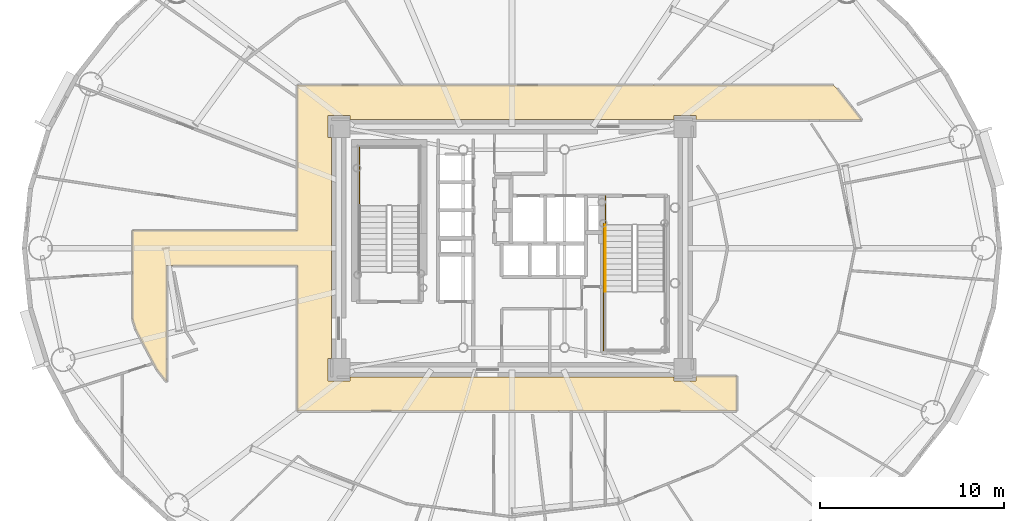
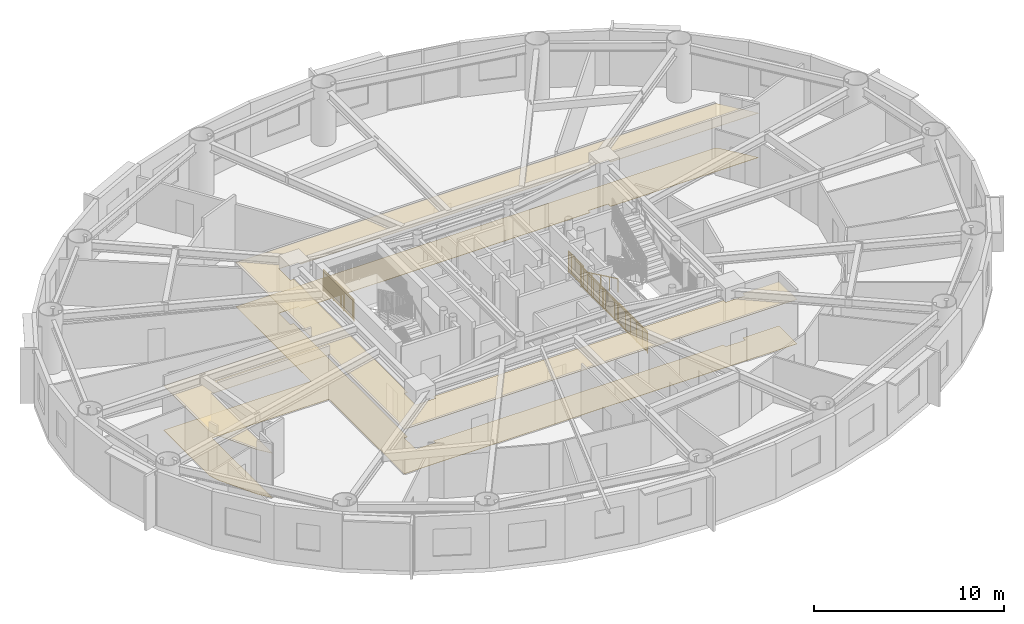
# One storey, part 18 of 21: 4 railings, 2 coverings.
"""IFC4 building model written with IfcOpenShell, lengths in metres."""

import ifcopenshell
import ifcopenshell.guid

model = None  # the IFC model being written
_history = None  # IfcOwnerHistory: only IFC2X3 demands one
_inside = {}  # id of a spatial element -> (the spatial element, [elements in it])
_under = {}  # id of a project, library or spatial element -> (it, [spatial elements below it])
_declared = {}  # id of a project -> (the project, [libraries it declares])
_typed = {}  # id of a type object -> (the type object, [elements of that type])
_made_of = {}  # id of a material, layer set ... -> (it, [elements and type objects made of it])


def new_model(schema):
    """Start an empty IFC model of exactly this schema.

    Asked for "IFC4X3", IfcOpenShell would pick the latest addendum, in which some entities
    have other attributes; the version numbers below select the first issue.
    IFC2X3 requires an IfcOwnerHistory on every rooted entity: one is made here for all.
    """
    global model, _history
    if schema == "IFC4X3":
        model = ifcopenshell.file(schema_version=(4, 3, 0, 0))
    else:
        model = ifcopenshell.file(schema=schema)
    _inside.clear()
    _under.clear()
    _declared.clear()
    _typed.clear()
    _made_of.clear()
    _history = None
    if model.schema == "IFC2X3":
        org = make("IfcOrganization", Name="unknown")
        user = make(
            "IfcPersonAndOrganization",
            ThePerson=make("IfcPerson", FamilyName="unknown"),
            TheOrganization=org,
        )
        app = make(
            "IfcApplication",
            ApplicationDeveloper=org,
            Version="unknown",
            ApplicationFullName="unknown",
            ApplicationIdentifier="unknown",
        )
        _history = make(
            "IfcOwnerHistory",
            OwningUser=user,
            OwningApplication=app,
            ChangeAction="ADDED",
            CreationDate=0,
        )
    return model


def make(cls, **values):
    """One entity of the class cls with the attributes given. An attribute that is None is left unset."""
    return model.create_entity(
        cls, **{name: value for name, value in values.items() if value is not None}
    )


def rooted(cls, **values):
    """An entity with a GlobalId (a new one), such as an element, a storey or a relation."""
    return make(cls, GlobalId=ifcopenshell.guid.new(), OwnerHistory=_history, **values)


def si_unit(unit_type, name, prefix=None):
    """IfcSIUnit, for example si_unit("LENGTHUNIT", "METRE", prefix="MILLI")."""
    return make("IfcSIUnit", UnitType=unit_type, Prefix=prefix, Name=name)


def assignment(units):
    """IfcUnitAssignment: the units of a project."""
    return None if units is None else make("IfcUnitAssignment", Units=units)


def point(xyz):
    """IfcCartesianPoint."""
    return None if xyz is None else make("IfcCartesianPoint", Coordinates=xyz)


def direction(xyz):
    """IfcDirection."""
    return None if xyz is None else make("IfcDirection", DirectionRatios=xyz)


def frame(location, z_axis=None, x_axis=None):
    """IfcAxis2Placement3D, a coordinate frame: its origin and axes. An axis left out is left unset."""
    return make(
        "IfcAxis2Placement3D",
        Location=point(location),
        Axis=direction(z_axis),
        RefDirection=direction(x_axis),
    )


def frame_2d(location, x_axis=None):
    """IfcAxis2Placement2D, a coordinate frame in the plane: its origin and x axis."""
    return make(
        "IfcAxis2Placement2D", Location=point(location), RefDirection=direction(x_axis)
    )


def origin():
    """The frame at (0, 0, 0) with its axes left unset."""
    return frame((0.0, 0.0, 0.0))


def origin_2d():
    """The frame at (0, 0) in the plane with its x axis left unset."""
    return frame_2d((0.0, 0.0))


def place(relative_to, where):
    """IfcLocalPlacement: puts the frame where relative to a parent placement (None: the world)."""
    return make(
        "IfcLocalPlacement", PlacementRelTo=relative_to, RelativePlacement=where
    )


def context(
    kind, dimensions, precision=None, world=None, true_north=None, identifier=None
):
    """IfcGeometricRepresentationContext, for example the 3D "Model" context."""
    return make(
        "IfcGeometricRepresentationContext",
        ContextIdentifier=identifier,
        ContextType=kind,
        CoordinateSpaceDimension=dimensions,
        Precision=precision,
        WorldCoordinateSystem=world,
        TrueNorth=true_north,
    )


def subcontext(parent, identifier, kind, view, scale=None):
    """IfcGeometricRepresentationSubContext, for example "Body" below "Model"."""
    return make(
        "IfcGeometricRepresentationSubContext",
        ContextIdentifier=identifier,
        ContextType=kind,
        ParentContext=parent,
        TargetScale=scale,
        TargetView=view,
    )


def project(units=None, contexts=None):
    """IfcProject with its units and contexts."""
    return rooted(
        "IfcProject",
        Name="project",
        RepresentationContexts=contexts,
        UnitsInContext=assignment(units),
    )


def spatial(cls, under=None, at=None, **own):
    """A site, building, storey or space (cls), placed at a placement, below another one or the project."""
    s = rooted(cls, ObjectPlacement=at, **own)
    if under is not None:
        _under.setdefault(under.id(), (under, []))[1].append(s)
    return s


def polyline(points):
    """IfcPolyline through the points."""
    return make("IfcPolyline", Points=[point(p) for p in points])


def profile(cls, at=None, kind="AREA", **sizes):
    """A parametric profile (cls). Its sizes go by their IFC names, for example OverallWidth=200.0."""
    return make(cls, ProfileType=kind, Position=at, **sizes)


def rectangle(**sizes):
    """IfcRectangleProfileDef."""
    return profile("IfcRectangleProfileDef", **sizes)


def outline(outer, holes=None, kind="AREA"):
    """IfcArbitraryClosedProfileDef: a profile drawn as a closed curve; with holes, ...WithVoids."""
    if holes is None:
        return make("IfcArbitraryClosedProfileDef", ProfileType=kind, OuterCurve=outer)
    return make(
        "IfcArbitraryProfileDefWithVoids",
        ProfileType=kind,
        OuterCurve=outer,
        InnerCurves=holes,
    )


def extrude(swept, where, along, depth):
    """IfcExtrudedAreaSolid: the profile swept, set in the frame where, extruded along a direction by depth."""
    return make(
        "IfcExtrudedAreaSolid",
        SweptArea=swept,
        Position=where,
        ExtrudedDirection=direction(along),
        Depth=depth,
    )


def shape(context_of_items, identifier, shape_type, items):
    """IfcShapeRepresentation: the items that make up one representation, for example the "Body"."""
    return make(
        "IfcShapeRepresentation",
        ContextOfItems=context_of_items,
        RepresentationIdentifier=identifier,
        RepresentationType=shape_type,
        Items=items,
    )


def source(mapping_origin, context_of_items, identifier, shape_type, items):
    """IfcRepresentationMap: a shape defined once, which mapped items show again and again."""
    return make(
        "IfcRepresentationMap",
        MappingOrigin=mapping_origin,
        MappedRepresentation=shape(context_of_items, identifier, shape_type, items),
    )


def transform(
    local_origin,
    x_axis=None,
    y_axis=None,
    z_axis=None,
    scale=None,
    scale2=None,
    scale3=None,
    uniform=True,
):
    """IfcCartesianTransformationOperator3D, or its non-uniform kind. x_axis, y_axis, z_axis: its Axis1, 2, 3."""
    if uniform:
        return make(
            "IfcCartesianTransformationOperator3D",
            Axis1=direction(x_axis),
            Axis2=direction(y_axis),
            LocalOrigin=point(local_origin),
            Scale=scale,
            Axis3=direction(z_axis),
        )
    return make(
        "IfcCartesianTransformationOperator3DnonUniform",
        Axis1=direction(x_axis),
        Axis2=direction(y_axis),
        LocalOrigin=point(local_origin),
        Scale=scale,
        Axis3=direction(z_axis),
        Scale2=scale2,
        Scale3=scale3,
    )


def mapped(mapping_source, mapping_target):
    """IfcMappedItem: shows the shape of a source again, moved by a transform."""
    return make(
        "IfcMappedItem", MappingSource=mapping_source, MappingTarget=mapping_target
    )


def material(Name=None, Category=None):
    """IfcMaterial."""
    return make("IfcMaterial", Name=Name, Category=Category)


def layer(
    of_material, thickness, ventilated=None, Name=None, Category=None, Priority=None
):
    """IfcMaterialLayer: one layer of a wall or slab, of a material (None: an air gap)."""
    return make(
        "IfcMaterialLayer",
        Material=of_material,
        LayerThickness=thickness,
        IsVentilated=ventilated,
        Name=Name,
        Category=Category,
        Priority=Priority,
    )


def layer_set(layers, Name=None):
    """IfcMaterialLayerSet."""
    return make("IfcMaterialLayerSet", MaterialLayers=layers, LayerSetName=Name)


def made_of(thing, what):
    """Note that an element or type object is made of a material, layer set ...; save() writes the relation."""
    if what is not None:
        _made_of.setdefault(what.id(), (what, []))[1].append(thing)
    return thing


def type_object(cls, material=None, **own):
    """A type object (cls), such as IfcWallType, which elements share."""
    return made_of(rooted(cls, **own), material)


def element(
    cls,
    number,
    at=None,
    inside=None,
    cuts=None,
    type_object=None,
    material=None,
    context=None,
    identifier="Body",
    shape_type=None,
    held_by="IfcProductDefinitionShape",
    body=None,
    shapes=None,
    **own,
):
    """One element of the class cls, such as IfcWall. Its Tag is "e" and its number.

    at: its placement. inside: the storey or other place that contains it. cuts: it is an
    opening in that element (IfcRelVoidsElement). A single representation is given by context,
    identifier, shape_type and body (its items); several are given by shapes. held_by: the class
    of the entity that holds the representations. save() writes the other relations.
    """
    e = rooted(cls, Tag="e%d" % number, ObjectPlacement=at, **own)
    if body is not None:
        shapes = [shape(context, identifier, shape_type, body)]
    if shapes is not None:
        e.Representation = make(held_by, Representations=shapes)
    if inside is not None:
        _inside.setdefault(inside.id(), (inside, []))[1].append(e)
    if cuts is not None:
        rooted(
            "IfcRelVoidsElement", RelatingBuildingElement=cuts, RelatedOpeningElement=e
        )
    if type_object is not None:
        _typed.setdefault(type_object.id(), (type_object, []))[1].append(e)
    return made_of(e, material)


def aggregate(whole, parts):
    """IfcRelAggregates: a whole, such as a stair, and the parts it consists of."""
    return rooted("IfcRelAggregates", RelatingObject=whole, RelatedObjects=parts)


def save(model, path):
    """Write the relations noted so far, then the file.

    IfcRelAggregates (storeys below a building ...), IfcRelContainedInSpatialStructure (elements
    in a storey), IfcRelDefinesByType, IfcRelAssociatesMaterial and IfcRelDeclares: one each for
    every whole, place, type object, material and project.
    """
    for whole, parts in _under.values():
        aggregate(whole, parts)
    for where, things in _inside.values():
        rooted(
            "IfcRelContainedInSpatialStructure",
            RelatedElements=things,
            RelatingStructure=where,
        )
    for kind, things in _typed.values():
        rooted("IfcRelDefinesByType", RelatedObjects=things, RelatingType=kind)
    for what, things in _made_of.values():
        rooted("IfcRelAssociatesMaterial", RelatedObjects=things, RelatingMaterial=what)
    for by, libraries in _declared.values():
        rooted("IfcRelDeclares", RelatingContext=by, RelatedDefinitions=libraries)
    model.write(path)


model = new_model("IFC4")

# Units and contexts
model_context = context("Model", 3, precision=1e-05, world=origin(), true_north=direction((0.0, 1.0)))
body_context = subcontext(model_context, "Body", "Model", "MODEL_VIEW")
ifc_project = project(units=[si_unit("LENGTHUNIT", "METRE"), si_unit("AREAUNIT", "SQUARE_METRE"), si_unit("VOLUMEUNIT", "CUBIC_METRE"), si_unit("PLANEANGLEUNIT", "RADIAN"), si_unit("MASSUNIT", "GRAM", prefix="KILO")], contexts=[model_context])

# Site, building, storey
site_placement = place(None, origin())
site = spatial("IfcSite", under=ifc_project, at=site_placement, CompositionType="ELEMENT")
building_placement = place(site_placement, origin())
building = spatial("IfcBuilding", under=site, at=building_placement, Name="Linh Dai School and Residence Tower", CompositionType="ELEMENT")
storey_placement = place(building_placement, frame((0.0, 0.0, 171.14990234375)))
storey = spatial("IfcBuildingStorey", under=building, at=storey_placement, Name="L41", CompositionType="ELEMENT", Elevation=171.14990234375)

# Coverings
ifc_material_1 = material(Name="Mineral Fibre Acoustic Suspended Ceiling", Category="masonry")
ifc_layer_1 = layer(ifc_material_1, 0.02001953125)
ifc_layer_set_1 = layer_set([ifc_layer_1], Name="Mineral Fibre Acoustic Suspended Ceiling")
covering_type_1 = type_object("IfcCoveringType", Name="COV-CEIL-AC-20", PredefinedType="CEILING", material=ifc_layer_set_1)
covering_1_placement = place(storey_placement, frame((0.0, 0.0, 2.85009765625)))
element("IfcCovering", 1, at=covering_1_placement, inside=storey, type_object=covering_type_1, Name="L41 Residential Floor Corridor Suspended Ceiling", PredefinedType="CEILING", context=body_context, shape_type="SweptSolid", body=[
    extrude(outline(polyline([(17.25, 19.734375), (16.720458984375, 20.410888671875), (15.57421875, 22.577880859375), (15.39990234375, 23.14599609375), (15.39990234375, 27.949951171875), (24.35009765625, 27.949951171875), (24.35009765625, 35.85009765625), (53.453857421875, 35.85009765625), (53.6533203125, 35.6669921875), (54.9970703125, 33.949951171875), (46.0, 33.949951171875), (46.0, 34.199951171875), (44.800048828125, 34.199951171875), (44.800048828125, 34.0), (27.199951171875, 34.0), (27.199951171875, 34.199951171875), (26.0, 34.199951171875), (26.0, 33.0), (26.199951171875, 33.0), (26.199951171875, 21.0), (26.0, 21.0), (26.0, 19.800048828125), (27.199951171875, 19.800048828125), (27.199951171875, 20.0), (44.800048828125, 20.0), (44.800048828125, 19.800048828125), (46.0, 19.800048828125), (46.0, 20.050048828125), (48.199951171875, 20.050048828125), (48.199951171875, 18.14990234375), (24.35009765625, 18.14990234375), (24.35009765625, 26.050048828125), (17.25, 26.050048828125), (17.25, 19.734375)])), origin(), (0.0, 0.0, 1.0), 0.02001953125),
])
ifc_material_2 = material(Name="Polished Terrazzo Floor Finish", Category="masonry")
ifc_layer_2 = layer(ifc_material_2, 0.02490234375)
ifc_layer_set_2 = layer_set([ifc_layer_2], Name="Polished Terrazzo Floor Finish")
covering_type_2 = type_object("IfcCoveringType", Name="COV-FLR-TRZ-25", PredefinedType="FLOORING", material=ifc_layer_set_2)
covering_2_placement = place(storey_placement, origin())
element("IfcCovering", 2, at=covering_2_placement, inside=storey, type_object=covering_type_2, Name="L41 Residential Floor Corridor Floor Finish", PredefinedType="FLOORING", context=body_context, shape_type="SweptSolid", body=[
    extrude(outline(polyline([(17.25, 19.734375), (16.720458984375, 20.410888671875), (15.57421875, 22.577880859375), (15.39990234375, 23.14599609375), (15.39990234375, 27.949951171875), (24.35009765625, 27.949951171875), (24.35009765625, 35.85009765625), (53.453857421875, 35.85009765625), (53.6533203125, 35.6669921875), (54.9970703125, 33.949951171875), (46.0, 33.949951171875), (46.0, 34.199951171875), (44.800048828125, 34.199951171875), (44.800048828125, 34.0), (27.199951171875, 34.0), (27.199951171875, 34.199951171875), (26.0, 34.199951171875), (26.0, 33.0), (26.199951171875, 33.0), (26.199951171875, 21.0), (26.0, 21.0), (26.0, 19.800048828125), (27.199951171875, 19.800048828125), (27.199951171875, 20.0), (44.800048828125, 20.0), (44.800048828125, 19.800048828125), (46.0, 19.800048828125), (46.0, 20.050048828125), (48.199951171875, 20.050048828125), (48.199951171875, 18.14990234375), (24.35009765625, 18.14990234375), (24.35009765625, 26.050048828125), (17.25, 26.050048828125), (17.25, 19.734375)])), origin(), (0.0, 0.0, 1.0), 0.02001953125),
])

# Railings
ifc_material_3 = material(Name="Structural Steel S355JR", Category="steel")
railing_type_1 = type_object("IfcRailingType", Name="RL-ST-GUARD-1400", PredefinedType="GUARDRAIL", material=ifc_material_3)
shared_shape_1 = source(origin(), body_context, "Body", "SweptSolid", [
    extrude(rectangle(XDim=0.048095703125, YDim=0.048095703125, at=origin_2d()), frame((0.0, 0.0, 1.3759765625), z_axis=(0.0, 1.0, 0.0), x_axis=(-1.0, 0.0, 0.0)), (0.0, 0.0, 1.0), 3.199951171875),
    extrude(rectangle(XDim=0.048095703125, YDim=0.048095703125, at=origin_2d()), frame((0.0, 0.0, 0.10009765625), z_axis=(0.0, 1.0, 0.0), x_axis=(-1.0, 0.0, 0.0)), (0.0, 0.0, 1.0), 3.199951171875),
    extrude(rectangle(XDim=0.030029296875, YDim=0.030029296875, at=origin_2d()), frame((0.0, 0.0, 1.239990234375), z_axis=(0.0, 1.0, 0.0), x_axis=(-1.0, 0.0, 0.0)), (0.0, 0.0, 1.0), 3.199951171875),
    extrude(rectangle(XDim=0.02001953125, YDim=0.02001953125, at=origin_2d()), frame((0.0, 0.096923828125, 0.10009765625)), (0.0, 0.0, 1.0), 1.251708984375),
    extrude(rectangle(XDim=0.02001953125, YDim=0.02001953125, at=origin_2d()), frame((0.0, 0.19384765625, 0.10009765625)), (0.0, 0.0, 1.0), 1.251708984375),
    extrude(rectangle(XDim=0.02001953125, YDim=0.02001953125, at=origin_2d()), frame((0.0, 0.291015625, 0.10009765625)), (0.0, 0.0, 1.0), 1.251708984375),
    extrude(rectangle(XDim=0.02001953125, YDim=0.02001953125, at=origin_2d()), frame((0.0, 0.387939453125, 0.10009765625)), (0.0, 0.0, 1.0), 1.251708984375),
    extrude(rectangle(XDim=0.02001953125, YDim=0.02001953125, at=origin_2d()), frame((0.0, 0.48486328125, 0.10009765625)), (0.0, 0.0, 1.0), 1.251708984375),
    extrude(rectangle(XDim=0.02001953125, YDim=0.02001953125, at=origin_2d()), frame((0.0, 0.581787109375, 0.10009765625)), (0.0, 0.0, 1.0), 1.251708984375),
    extrude(rectangle(XDim=0.02001953125, YDim=0.02001953125, at=origin_2d()), frame((0.0, 0.6787109375, 0.10009765625)), (0.0, 0.0, 1.0), 1.251708984375),
    extrude(rectangle(XDim=0.02001953125, YDim=0.02001953125, at=origin_2d()), frame((0.0, 0.775634765625, 0.10009765625)), (0.0, 0.0, 1.0), 1.251708984375),
    extrude(rectangle(XDim=0.02001953125, YDim=0.02001953125, at=origin_2d()), frame((0.0, 0.872802734375, 0.10009765625)), (0.0, 0.0, 1.0), 1.251708984375),
    extrude(rectangle(XDim=0.02001953125, YDim=0.02001953125, at=origin_2d()), frame((0.0, 0.9697265625, 0.10009765625)), (0.0, 0.0, 1.0), 1.251708984375),
    extrude(rectangle(XDim=0.02001953125, YDim=0.02001953125, at=origin_2d()), frame((0.0, 1.16357421875, 0.10009765625)), (0.0, 0.0, 1.0), 1.251708984375),
    extrude(rectangle(XDim=0.02001953125, YDim=0.02001953125, at=origin_2d()), frame((0.0, 1.260498046875, 0.10009765625)), (0.0, 0.0, 1.0), 1.251708984375),
    extrude(rectangle(XDim=0.02001953125, YDim=0.02001953125, at=origin_2d()), frame((0.0, 1.357666015625, 0.10009765625)), (0.0, 0.0, 1.0), 1.251708984375),
    extrude(rectangle(XDim=0.02001953125, YDim=0.02001953125, at=origin_2d()), frame((0.0, 1.45458984375, 0.10009765625)), (0.0, 0.0, 1.0), 1.251708984375),
    extrude(rectangle(XDim=0.02001953125, YDim=0.02001953125, at=origin_2d()), frame((0.0, 1.551513671875, 0.10009765625)), (0.0, 0.0, 1.0), 1.251708984375),
    extrude(rectangle(XDim=0.02001953125, YDim=0.02001953125, at=origin_2d()), frame((0.0, 1.6484375, 0.10009765625)), (0.0, 0.0, 1.0), 1.251708984375),
    extrude(rectangle(XDim=0.02001953125, YDim=0.02001953125, at=origin_2d()), frame((0.0, 1.745361328125, 0.10009765625)), (0.0, 0.0, 1.0), 1.251708984375),
    extrude(rectangle(XDim=0.02001953125, YDim=0.02001953125, at=origin_2d()), frame((0.0, 1.84228515625, 0.10009765625)), (0.0, 0.0, 1.0), 1.251708984375),
    extrude(rectangle(XDim=0.02001953125, YDim=0.02001953125, at=origin_2d()), frame((0.0, 1.939453125, 0.10009765625)), (0.0, 0.0, 1.0), 1.251708984375),
    extrude(rectangle(XDim=0.02001953125, YDim=0.02001953125, at=origin_2d()), frame((0.0, 2.036376953125, 0.10009765625)), (0.0, 0.0, 1.0), 1.251708984375),
    extrude(rectangle(XDim=0.02001953125, YDim=0.02001953125, at=origin_2d()), frame((0.0, 2.230224609375, 0.10009765625)), (0.0, 0.0, 1.0), 1.251708984375),
    extrude(rectangle(XDim=0.02001953125, YDim=0.02001953125, at=origin_2d()), frame((0.0, 2.3271484375, 0.10009765625)), (0.0, 0.0, 1.0), 1.251708984375),
    extrude(rectangle(XDim=0.02001953125, YDim=0.02001953125, at=origin_2d()), frame((0.0, 2.42431640625, 0.10009765625)), (0.0, 0.0, 1.0), 1.251708984375),
    extrude(rectangle(XDim=0.02001953125, YDim=0.02001953125, at=origin_2d()), frame((0.0, 2.521240234375, 0.10009765625)), (0.0, 0.0, 1.0), 1.251708984375),
    extrude(rectangle(XDim=0.02001953125, YDim=0.02001953125, at=origin_2d()), frame((0.0, 2.6181640625, 0.10009765625)), (0.0, 0.0, 1.0), 1.251708984375),
    extrude(rectangle(XDim=0.02001953125, YDim=0.02001953125, at=origin_2d()), frame((0.0, 2.715087890625, 0.10009765625)), (0.0, 0.0, 1.0), 1.251708984375),
    extrude(rectangle(XDim=0.02001953125, YDim=0.02001953125, at=origin_2d()), frame((0.0, 2.81201171875, 0.10009765625)), (0.0, 0.0, 1.0), 1.251708984375),
    extrude(rectangle(XDim=0.02001953125, YDim=0.02001953125, at=origin_2d()), frame((0.0, 2.908935546875, 0.10009765625)), (0.0, 0.0, 1.0), 1.251708984375),
    extrude(rectangle(XDim=0.02001953125, YDim=0.02001953125, at=origin_2d()), frame((0.0, 3.006103515625, 0.10009765625)), (0.0, 0.0, 1.0), 1.251708984375),
    extrude(rectangle(XDim=0.02001953125, YDim=0.02001953125, at=origin_2d()), frame((0.0, 3.10302734375, 0.10009765625)), (0.0, 0.0, 1.0), 1.251708984375),
    extrude(rectangle(XDim=0.0419921875, YDim=0.0419921875, at=origin_2d()), origin(), (0.0, 0.0, 1.0), 1.3759765625),
    extrude(rectangle(XDim=0.0419921875, YDim=0.0419921875, at=origin_2d()), frame((0.0, 1.066650390625, 0.0)), (0.0, 0.0, 1.0), 1.3759765625),
    extrude(rectangle(XDim=0.0419921875, YDim=0.0419921875, at=origin_2d()), frame((0.0, 2.13330078125, 0.0)), (0.0, 0.0, 1.0), 1.3759765625),
    extrude(rectangle(XDim=0.0419921875, YDim=0.0419921875, at=origin_2d()), frame((0.0, 3.199951171875, 0.0)), (0.0, 0.0, 1.0), 1.3759765625),
])
railing_1_placement = place(storey_placement, frame((27.72998046875, 29.300048828125, 1.875)))
element("IfcRailing", 3, at=railing_1_placement, inside=storey, type_object=railing_type_1, Name="L41 ST1 stair guard 4", PredefinedType="GUARDRAIL", context=body_context, shape_type="MappedRepresentation", body=[
    mapped(shared_shape_1, transform((0.0, 0.0, 0.0), x_axis=(1.0, 0.0, 0.0), y_axis=(0.0, 1.0, 0.0), z_axis=(0.0, 0.0, 1.0), scale=1.0)),
])
ifc_material_4 = material(Name="Brushed Stainless Steel Handrail", Category="steel")
railing_type_2 = type_object("IfcRailingType", Name="RL-ST-HANDRAIL-900", PredefinedType="HANDRAIL", material=ifc_material_4)
shared_shape_2 = source(origin(), body_context, "Body", "SweptSolid", [
    extrude(rectangle(XDim=0.048095703125, YDim=0.048095703125, at=origin_2d()), frame((0.0, 0.0, 0.8759765625), z_axis=(0.0, -0.901262522062, 0.433273431364), x_axis=(1.0, 0.0, 0.0)), (0.0, 0.0, 1.0), 3.994384765625),
    extrude(rectangle(XDim=0.0419921875, YDim=0.0419921875, at=origin_2d()), origin(), (0.0, 0.0, 1.0), 0.8759765625),
    extrude(rectangle(XDim=0.0419921875, YDim=0.0419921875, at=origin_2d()), frame((0.0, -0.89990234375, 0.4326171875)), (0.0, 0.0, 1.0), 0.8759765625),
    extrude(rectangle(XDim=0.0419921875, YDim=0.0419921875, at=origin_2d()), frame((0.0, -1.800048828125, 0.865234375)), (0.0, 0.0, 1.0), 0.8759765625),
    extrude(rectangle(XDim=0.0419921875, YDim=0.0419921875, at=origin_2d()), frame((0.0, -2.7001953125, 1.298095703125)), (0.0, 0.0, 1.0), 0.8759765625),
    extrude(rectangle(XDim=0.0419921875, YDim=0.0419921875, at=origin_2d()), frame((0.0, -3.60009765625, 1.730712890625)), (0.0, 0.0, 1.0), 0.8759765625),
])
railing_2_placement = place(storey_placement, frame((41.070068359375, 28.25, 0.144287109375)))
element("IfcRailing", 4, at=railing_2_placement, inside=storey, type_object=railing_type_2, Name="L41 ST2 stair handrail 1", PredefinedType="HANDRAIL", context=body_context, shape_type="MappedRepresentation", body=[
    mapped(shared_shape_2, transform((0.0, 0.0, 0.0), x_axis=(1.0, 0.0, 0.0), y_axis=(0.0, 1.0, 0.0), z_axis=(0.0, 0.0, 1.0), scale=1.0)),
])
shared_shape_3 = source(origin(), body_context, "Body", "SweptSolid", [
    extrude(rectangle(XDim=0.048095703125, YDim=0.048095703125, at=origin_2d()), frame((0.0, 0.0, 1.3759765625), z_axis=(0.0, -1.0, 0.0), x_axis=(1.0, 0.0, 0.0)), (0.0, 0.0, 1.0), 1.60009765625),
    extrude(rectangle(XDim=0.048095703125, YDim=0.048095703125, at=origin_2d()), frame((0.0, 0.0, 0.10009765625), z_axis=(0.0, -1.0, 0.0), x_axis=(1.0, 0.0, 0.0)), (0.0, 0.0, 1.0), 1.60009765625),
    extrude(rectangle(XDim=0.030029296875, YDim=0.030029296875, at=origin_2d()), frame((0.0, 0.0, 1.239990234375), z_axis=(0.0, -1.0, 0.0), x_axis=(1.0, 0.0, 0.0)), (0.0, 0.0, 1.0), 1.60009765625),
    extrude(rectangle(XDim=0.02001953125, YDim=0.02001953125, at=origin_2d()), frame((0.0, -0.09423828125, 0.10009765625)), (0.0, 0.0, 1.0), 1.251708984375),
    extrude(rectangle(XDim=0.02001953125, YDim=0.02001953125, at=origin_2d()), frame((0.0, -0.188232421875, 0.10009765625)), (0.0, 0.0, 1.0), 1.251708984375),
    extrude(rectangle(XDim=0.02001953125, YDim=0.02001953125, at=origin_2d()), frame((0.0, -0.282470703125, 0.10009765625)), (0.0, 0.0, 1.0), 1.251708984375),
    extrude(rectangle(XDim=0.02001953125, YDim=0.02001953125, at=origin_2d()), frame((0.0, -0.37646484375, 0.10009765625)), (0.0, 0.0, 1.0), 1.251708984375),
    extrude(rectangle(XDim=0.02001953125, YDim=0.02001953125, at=origin_2d()), frame((0.0, -0.470703125, 0.10009765625)), (0.0, 0.0, 1.0), 1.251708984375),
    extrude(rectangle(XDim=0.02001953125, YDim=0.02001953125, at=origin_2d()), frame((0.0, -0.564697265625, 0.10009765625)), (0.0, 0.0, 1.0), 1.251708984375),
    extrude(rectangle(XDim=0.02001953125, YDim=0.02001953125, at=origin_2d()), frame((0.0, -0.658935546875, 0.10009765625)), (0.0, 0.0, 1.0), 1.251708984375),
    extrude(rectangle(XDim=0.02001953125, YDim=0.02001953125, at=origin_2d()), frame((0.0, -0.7529296875, 0.10009765625)), (0.0, 0.0, 1.0), 1.251708984375),
    extrude(rectangle(XDim=0.02001953125, YDim=0.02001953125, at=origin_2d()), frame((0.0, -0.84716796875, 0.10009765625)), (0.0, 0.0, 1.0), 1.251708984375),
    extrude(rectangle(XDim=0.02001953125, YDim=0.02001953125, at=origin_2d()), frame((0.0, -0.941162109375, 0.10009765625)), (0.0, 0.0, 1.0), 1.251708984375),
    extrude(rectangle(XDim=0.02001953125, YDim=0.02001953125, at=origin_2d()), frame((0.0, -1.035400390625, 0.10009765625)), (0.0, 0.0, 1.0), 1.251708984375),
    extrude(rectangle(XDim=0.02001953125, YDim=0.02001953125, at=origin_2d()), frame((0.0, -1.12939453125, 0.10009765625)), (0.0, 0.0, 1.0), 1.251708984375),
    extrude(rectangle(XDim=0.02001953125, YDim=0.02001953125, at=origin_2d()), frame((0.0, -1.2236328125, 0.10009765625)), (0.0, 0.0, 1.0), 1.251708984375),
    extrude(rectangle(XDim=0.02001953125, YDim=0.02001953125, at=origin_2d()), frame((0.0, -1.317626953125, 0.10009765625)), (0.0, 0.0, 1.0), 1.251708984375),
    extrude(rectangle(XDim=0.02001953125, YDim=0.02001953125, at=origin_2d()), frame((0.0, -1.411865234375, 0.10009765625)), (0.0, 0.0, 1.0), 1.251708984375),
    extrude(rectangle(XDim=0.02001953125, YDim=0.02001953125, at=origin_2d()), frame((0.0, -1.505859375, 0.10009765625)), (0.0, 0.0, 1.0), 1.251708984375),
    extrude(rectangle(XDim=0.0419921875, YDim=0.0419921875, at=origin_2d()), origin(), (0.0, 0.0, 1.0), 1.3759765625),
    extrude(rectangle(XDim=0.0419921875, YDim=0.0419921875, at=origin_2d()), frame((0.0, -0.800048828125, 0.0)), (0.0, 0.0, 1.0), 1.3759765625),
    extrude(rectangle(XDim=0.0419921875, YDim=0.0419921875, at=origin_2d()), frame((0.0, -1.60009765625, 0.0)), (0.0, 0.0, 1.0), 1.3759765625),
])
railing_3_placement = place(storey_placement, frame((41.070068359375, 29.85009765625, 0.0)))
element("IfcRailing", 5, at=railing_3_placement, inside=storey, type_object=railing_type_1, Name="L41 ST2 stair guard 8", PredefinedType="GUARDRAIL", context=body_context, shape_type="MappedRepresentation", body=[
    mapped(shared_shape_3, transform((0.0, 0.0, 0.0), x_axis=(1.0, 0.0, 0.0), y_axis=(0.0, 1.0, 0.0), z_axis=(0.0, 0.0, 1.0), scale=1.0)),
])
shared_shape_4 = source(origin(), body_context, "Body", "SweptSolid", [
    extrude(rectangle(XDim=0.048095703125, YDim=0.048095703125, at=origin_2d()), frame((0.0, 0.0, 1.3759765625), z_axis=(0.0, -1.0, 0.0), x_axis=(1.0, 0.0, 0.0)), (0.0, 0.0, 1.0), 7.0),
    extrude(rectangle(XDim=0.048095703125, YDim=0.048095703125, at=origin_2d()), frame((0.0, 0.0, 0.10009765625), z_axis=(0.0, -1.0, 0.0), x_axis=(1.0, 0.0, 0.0)), (0.0, 0.0, 1.0), 7.0),
    extrude(rectangle(XDim=0.030029296875, YDim=0.030029296875, at=origin_2d()), frame((0.0, 0.0, 1.239990234375), z_axis=(0.0, -1.0, 0.0), x_axis=(1.0, 0.0, 0.0)), (0.0, 0.0, 1.0), 7.0),
    extrude(rectangle(XDim=0.02001953125, YDim=0.02001953125, at=origin_2d()), frame((0.0, -0.09716796875, 0.10009765625)), (0.0, 0.0, 1.0), 1.251708984375),
    extrude(rectangle(XDim=0.02001953125, YDim=0.02001953125, at=origin_2d()), frame((0.0, -0.1943359375, 0.10009765625)), (0.0, 0.0, 1.0), 1.251708984375),
    extrude(rectangle(XDim=0.02001953125, YDim=0.02001953125, at=origin_2d()), frame((0.0, -0.291748046875, 0.10009765625)), (0.0, 0.0, 1.0), 1.251708984375),
    extrude(rectangle(XDim=0.02001953125, YDim=0.02001953125, at=origin_2d()), frame((0.0, -0.388916015625, 0.10009765625)), (0.0, 0.0, 1.0), 1.251708984375),
    extrude(rectangle(XDim=0.02001953125, YDim=0.02001953125, at=origin_2d()), frame((0.0, -0.486083984375, 0.10009765625)), (0.0, 0.0, 1.0), 1.251708984375),
    extrude(rectangle(XDim=0.02001953125, YDim=0.02001953125, at=origin_2d()), frame((0.0, -0.583251953125, 0.10009765625)), (0.0, 0.0, 1.0), 1.251708984375),
    extrude(rectangle(XDim=0.02001953125, YDim=0.02001953125, at=origin_2d()), frame((0.0, -0.6806640625, 0.10009765625)), (0.0, 0.0, 1.0), 1.251708984375),
    extrude(rectangle(XDim=0.02001953125, YDim=0.02001953125, at=origin_2d()), frame((0.0, -0.77783203125, 0.10009765625)), (0.0, 0.0, 1.0), 1.251708984375),
    extrude(rectangle(XDim=0.02001953125, YDim=0.02001953125, at=origin_2d()), frame((0.0, -0.875, 0.10009765625)), (0.0, 0.0, 1.0), 1.251708984375),
    extrude(rectangle(XDim=0.02001953125, YDim=0.02001953125, at=origin_2d()), frame((0.0, -0.97216796875, 0.10009765625)), (0.0, 0.0, 1.0), 1.251708984375),
    extrude(rectangle(XDim=0.02001953125, YDim=0.02001953125, at=origin_2d()), frame((0.0, -1.0693359375, 0.10009765625)), (0.0, 0.0, 1.0), 1.251708984375),
    extrude(rectangle(XDim=0.02001953125, YDim=0.02001953125, at=origin_2d()), frame((0.0, -1.263916015625, 0.10009765625)), (0.0, 0.0, 1.0), 1.251708984375),
    extrude(rectangle(XDim=0.02001953125, YDim=0.02001953125, at=origin_2d()), frame((0.0, -1.361083984375, 0.10009765625)), (0.0, 0.0, 1.0), 1.251708984375),
    extrude(rectangle(XDim=0.02001953125, YDim=0.02001953125, at=origin_2d()), frame((0.0, -1.458251953125, 0.10009765625)), (0.0, 0.0, 1.0), 1.251708984375),
    extrude(rectangle(XDim=0.02001953125, YDim=0.02001953125, at=origin_2d()), frame((0.0, -1.5556640625, 0.10009765625)), (0.0, 0.0, 1.0), 1.251708984375),
    extrude(rectangle(XDim=0.02001953125, YDim=0.02001953125, at=origin_2d()), frame((0.0, -1.65283203125, 0.10009765625)), (0.0, 0.0, 1.0), 1.251708984375),
    extrude(rectangle(XDim=0.02001953125, YDim=0.02001953125, at=origin_2d()), frame((0.0, -1.75, 0.10009765625)), (0.0, 0.0, 1.0), 1.251708984375),
    extrude(rectangle(XDim=0.02001953125, YDim=0.02001953125, at=origin_2d()), frame((0.0, -1.84716796875, 0.10009765625)), (0.0, 0.0, 1.0), 1.251708984375),
    extrude(rectangle(XDim=0.02001953125, YDim=0.02001953125, at=origin_2d()), frame((0.0, -1.9443359375, 0.10009765625)), (0.0, 0.0, 1.0), 1.251708984375),
    extrude(rectangle(XDim=0.02001953125, YDim=0.02001953125, at=origin_2d()), frame((0.0, -2.041748046875, 0.10009765625)), (0.0, 0.0, 1.0), 1.251708984375),
    extrude(rectangle(XDim=0.02001953125, YDim=0.02001953125, at=origin_2d()), frame((0.0, -2.138916015625, 0.10009765625)), (0.0, 0.0, 1.0), 1.251708984375),
    extrude(rectangle(XDim=0.02001953125, YDim=0.02001953125, at=origin_2d()), frame((0.0, -2.236083984375, 0.10009765625)), (0.0, 0.0, 1.0), 1.251708984375),
    extrude(rectangle(XDim=0.02001953125, YDim=0.02001953125, at=origin_2d()), frame((0.0, -2.4306640625, 0.10009765625)), (0.0, 0.0, 1.0), 1.251708984375),
    extrude(rectangle(XDim=0.02001953125, YDim=0.02001953125, at=origin_2d()), frame((0.0, -2.52783203125, 0.10009765625)), (0.0, 0.0, 1.0), 1.251708984375),
    extrude(rectangle(XDim=0.02001953125, YDim=0.02001953125, at=origin_2d()), frame((0.0, -2.625, 0.10009765625)), (0.0, 0.0, 1.0), 1.251708984375),
    extrude(rectangle(XDim=0.02001953125, YDim=0.02001953125, at=origin_2d()), frame((0.0, -2.72216796875, 0.10009765625)), (0.0, 0.0, 1.0), 1.251708984375),
    extrude(rectangle(XDim=0.02001953125, YDim=0.02001953125, at=origin_2d()), frame((0.0, -2.8193359375, 0.10009765625)), (0.0, 0.0, 1.0), 1.251708984375),
    extrude(rectangle(XDim=0.02001953125, YDim=0.02001953125, at=origin_2d()), frame((0.0, -2.916748046875, 0.10009765625)), (0.0, 0.0, 1.0), 1.251708984375),
    extrude(rectangle(XDim=0.02001953125, YDim=0.02001953125, at=origin_2d()), frame((0.0, -3.013916015625, 0.10009765625)), (0.0, 0.0, 1.0), 1.251708984375),
    extrude(rectangle(XDim=0.02001953125, YDim=0.02001953125, at=origin_2d()), frame((0.0, -3.111083984375, 0.10009765625)), (0.0, 0.0, 1.0), 1.251708984375),
    extrude(rectangle(XDim=0.02001953125, YDim=0.02001953125, at=origin_2d()), frame((0.0, -3.208251953125, 0.10009765625)), (0.0, 0.0, 1.0), 1.251708984375),
    extrude(rectangle(XDim=0.02001953125, YDim=0.02001953125, at=origin_2d()), frame((0.0, -3.3056640625, 0.10009765625)), (0.0, 0.0, 1.0), 1.251708984375),
    extrude(rectangle(XDim=0.02001953125, YDim=0.02001953125, at=origin_2d()), frame((0.0, -3.40283203125, 0.10009765625)), (0.0, 0.0, 1.0), 1.251708984375),
    extrude(rectangle(XDim=0.02001953125, YDim=0.02001953125, at=origin_2d()), frame((0.0, -3.59716796875, 0.10009765625)), (0.0, 0.0, 1.0), 1.251708984375),
    extrude(rectangle(XDim=0.02001953125, YDim=0.02001953125, at=origin_2d()), frame((0.0, -3.6943359375, 0.10009765625)), (0.0, 0.0, 1.0), 1.251708984375),
    extrude(rectangle(XDim=0.02001953125, YDim=0.02001953125, at=origin_2d()), frame((0.0, -3.791748046875, 0.10009765625)), (0.0, 0.0, 1.0), 1.251708984375),
    extrude(rectangle(XDim=0.02001953125, YDim=0.02001953125, at=origin_2d()), frame((0.0, -3.888916015625, 0.10009765625)), (0.0, 0.0, 1.0), 1.251708984375),
    extrude(rectangle(XDim=0.02001953125, YDim=0.02001953125, at=origin_2d()), frame((0.0, -3.986083984375, 0.10009765625)), (0.0, 0.0, 1.0), 1.251708984375),
    extrude(rectangle(XDim=0.02001953125, YDim=0.02001953125, at=origin_2d()), frame((0.0, -4.083251953125, 0.10009765625)), (0.0, 0.0, 1.0), 1.251708984375),
    extrude(rectangle(XDim=0.02001953125, YDim=0.02001953125, at=origin_2d()), frame((0.0, -4.1806640625, 0.10009765625)), (0.0, 0.0, 1.0), 1.251708984375),
    extrude(rectangle(XDim=0.02001953125, YDim=0.02001953125, at=origin_2d()), frame((0.0, -4.27783203125, 0.10009765625)), (0.0, 0.0, 1.0), 1.251708984375),
    extrude(rectangle(XDim=0.02001953125, YDim=0.02001953125, at=origin_2d()), frame((0.0, -4.375, 0.10009765625)), (0.0, 0.0, 1.0), 1.251708984375),
    extrude(rectangle(XDim=0.02001953125, YDim=0.02001953125, at=origin_2d()), frame((0.0, -4.47216796875, 0.10009765625)), (0.0, 0.0, 1.0), 1.251708984375),
    extrude(rectangle(XDim=0.02001953125, YDim=0.02001953125, at=origin_2d()), frame((0.0, -4.5693359375, 0.10009765625)), (0.0, 0.0, 1.0), 1.251708984375),
    extrude(rectangle(XDim=0.02001953125, YDim=0.02001953125, at=origin_2d()), frame((0.0, -4.763916015625, 0.10009765625)), (0.0, 0.0, 1.0), 1.251708984375),
    extrude(rectangle(XDim=0.02001953125, YDim=0.02001953125, at=origin_2d()), frame((0.0, -4.861083984375, 0.10009765625)), (0.0, 0.0, 1.0), 1.251708984375),
    extrude(rectangle(XDim=0.02001953125, YDim=0.02001953125, at=origin_2d()), frame((0.0, -4.958251953125, 0.10009765625)), (0.0, 0.0, 1.0), 1.251708984375),
    extrude(rectangle(XDim=0.02001953125, YDim=0.02001953125, at=origin_2d()), frame((0.0, -5.0556640625, 0.10009765625)), (0.0, 0.0, 1.0), 1.251708984375),
    extrude(rectangle(XDim=0.02001953125, YDim=0.02001953125, at=origin_2d()), frame((0.0, -5.15283203125, 0.10009765625)), (0.0, 0.0, 1.0), 1.251708984375),
    extrude(rectangle(XDim=0.02001953125, YDim=0.02001953125, at=origin_2d()), frame((0.0, -5.25, 0.10009765625)), (0.0, 0.0, 1.0), 1.251708984375),
    extrude(rectangle(XDim=0.02001953125, YDim=0.02001953125, at=origin_2d()), frame((0.0, -5.34716796875, 0.10009765625)), (0.0, 0.0, 1.0), 1.251708984375),
    extrude(rectangle(XDim=0.02001953125, YDim=0.02001953125, at=origin_2d()), frame((0.0, -5.4443359375, 0.10009765625)), (0.0, 0.0, 1.0), 1.251708984375),
    extrude(rectangle(XDim=0.02001953125, YDim=0.02001953125, at=origin_2d()), frame((0.0, -5.541748046875, 0.10009765625)), (0.0, 0.0, 1.0), 1.251708984375),
    extrude(rectangle(XDim=0.02001953125, YDim=0.02001953125, at=origin_2d()), frame((0.0, -5.638916015625, 0.10009765625)), (0.0, 0.0, 1.0), 1.251708984375),
    extrude(rectangle(XDim=0.02001953125, YDim=0.02001953125, at=origin_2d()), frame((0.0, -5.736083984375, 0.10009765625)), (0.0, 0.0, 1.0), 1.251708984375),
    extrude(rectangle(XDim=0.02001953125, YDim=0.02001953125, at=origin_2d()), frame((0.0, -5.9306640625, 0.10009765625)), (0.0, 0.0, 1.0), 1.251708984375),
    extrude(rectangle(XDim=0.02001953125, YDim=0.02001953125, at=origin_2d()), frame((0.0, -6.02783203125, 0.10009765625)), (0.0, 0.0, 1.0), 1.251708984375),
    extrude(rectangle(XDim=0.02001953125, YDim=0.02001953125, at=origin_2d()), frame((0.0, -6.125, 0.10009765625)), (0.0, 0.0, 1.0), 1.251708984375),
    extrude(rectangle(XDim=0.02001953125, YDim=0.02001953125, at=origin_2d()), frame((0.0, -6.22216796875, 0.10009765625)), (0.0, 0.0, 1.0), 1.251708984375),
    extrude(rectangle(XDim=0.02001953125, YDim=0.02001953125, at=origin_2d()), frame((0.0, -6.3193359375, 0.10009765625)), (0.0, 0.0, 1.0), 1.251708984375),
    extrude(rectangle(XDim=0.02001953125, YDim=0.02001953125, at=origin_2d()), frame((0.0, -6.416748046875, 0.10009765625)), (0.0, 0.0, 1.0), 1.251708984375),
    extrude(rectangle(XDim=0.02001953125, YDim=0.02001953125, at=origin_2d()), frame((0.0, -6.513916015625, 0.10009765625)), (0.0, 0.0, 1.0), 1.251708984375),
    extrude(rectangle(XDim=0.02001953125, YDim=0.02001953125, at=origin_2d()), frame((0.0, -6.611083984375, 0.10009765625)), (0.0, 0.0, 1.0), 1.251708984375),
    extrude(rectangle(XDim=0.02001953125, YDim=0.02001953125, at=origin_2d()), frame((0.0, -6.708251953125, 0.10009765625)), (0.0, 0.0, 1.0), 1.251708984375),
    extrude(rectangle(XDim=0.02001953125, YDim=0.02001953125, at=origin_2d()), frame((0.0, -6.8056640625, 0.10009765625)), (0.0, 0.0, 1.0), 1.251708984375),
    extrude(rectangle(XDim=0.02001953125, YDim=0.02001953125, at=origin_2d()), frame((0.0, -6.90283203125, 0.10009765625)), (0.0, 0.0, 1.0), 1.251708984375),
    extrude(rectangle(XDim=0.0419921875, YDim=0.0419921875, at=origin_2d()), origin(), (0.0, 0.0, 1.0), 1.3759765625),
    extrude(rectangle(XDim=0.0419921875, YDim=0.0419921875, at=origin_2d()), frame((0.0, -1.166748046875, 0.0)), (0.0, 0.0, 1.0), 1.3759765625),
    extrude(rectangle(XDim=0.0419921875, YDim=0.0419921875, at=origin_2d()), frame((0.0, -2.333251953125, 0.0)), (0.0, 0.0, 1.0), 1.3759765625),
    extrude(rectangle(XDim=0.0419921875, YDim=0.0419921875, at=origin_2d()), frame((0.0, -3.5, 0.0)), (0.0, 0.0, 1.0), 1.3759765625),
    extrude(rectangle(XDim=0.0419921875, YDim=0.0419921875, at=origin_2d()), frame((0.0, -4.666748046875, 0.0)), (0.0, 0.0, 1.0), 1.3759765625),
    extrude(rectangle(XDim=0.0419921875, YDim=0.0419921875, at=origin_2d()), frame((0.0, -5.833251953125, 0.0)), (0.0, 0.0, 1.0), 1.3759765625),
    extrude(rectangle(XDim=0.0419921875, YDim=0.0419921875, at=origin_2d()), frame((0.0, -7.0, 0.0)), (0.0, 0.0, 1.0), 1.3759765625),
])
railing_4_placement = place(storey_placement, frame((40.969970703125, 28.35009765625, 0.0)))
element("IfcRailing", 6, at=railing_4_placement, inside=storey, type_object=railing_type_1, Name="L41 ST2 stair guard 10", PredefinedType="GUARDRAIL", context=body_context, shape_type="MappedRepresentation", body=[
    mapped(shared_shape_4, transform((0.0, 0.0, 0.0), x_axis=(1.0, 0.0, 0.0), y_axis=(0.0, 1.0, 0.0), z_axis=(0.0, 0.0, 1.0), scale=1.0)),
])

save(model, "model.ifc")
